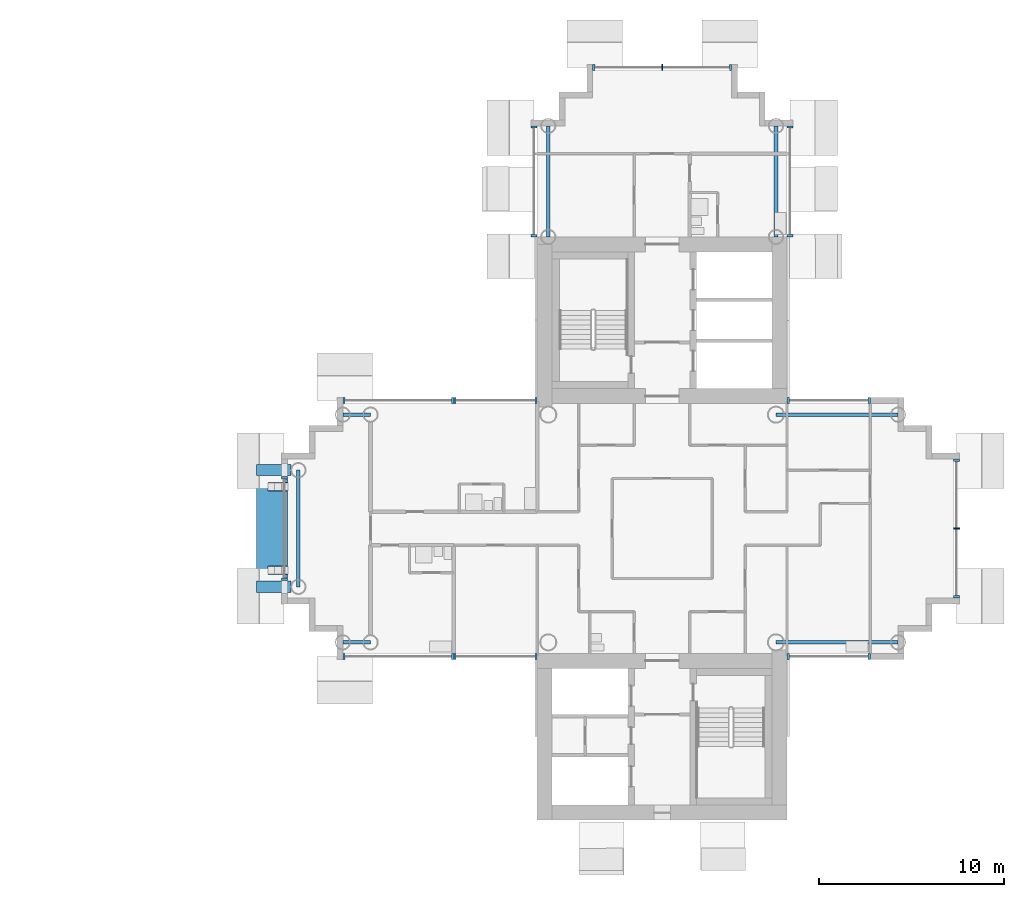
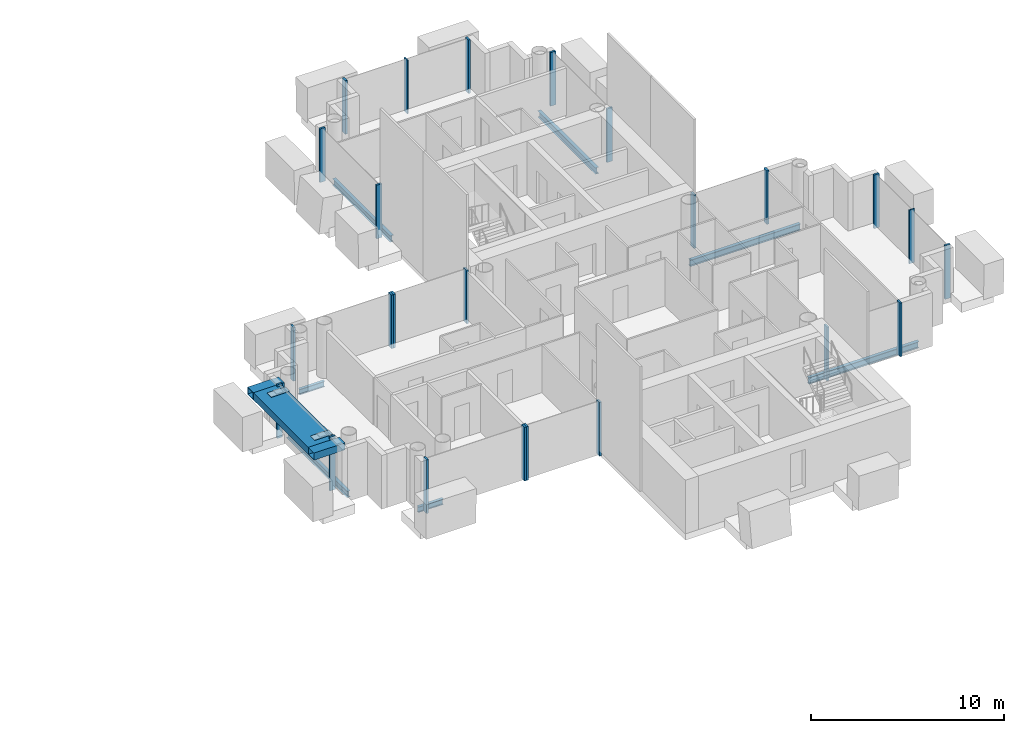
# One storey, part 4 of 18: 26 members, 10 beams, 11 elements without a shape of their own.
"""IFC4 building model written with IfcOpenShell, lengths in metres."""

from ifc_helpers import new_model, si_unit, direction, frame, origin, origin_2d, place, context, subcontext, project, spatial, rectangle, hollow_rectangle, i_section, extrude, material, layer, layer_set, material_profile, profile_set, type_object, element, aggregate, save


model = new_model("IFC4")

# Units and contexts
model_context = context("Model", 3, precision=1e-05, world=origin(), true_north=direction((0.0, 1.0)))
body_context = subcontext(model_context, "Body", "Model", "MODEL_VIEW")
ifc_project = project(units=[si_unit("LENGTHUNIT", "METRE"), si_unit("AREAUNIT", "SQUARE_METRE"), si_unit("VOLUMEUNIT", "CUBIC_METRE"), si_unit("PLANEANGLEUNIT", "RADIAN"), si_unit("MASSUNIT", "GRAM", prefix="KILO")], contexts=[model_context])

# Site, building, storey
site_placement = place(None, origin())
site = spatial("IfcSite", under=ifc_project, at=site_placement, CompositionType="ELEMENT")
building_placement = place(site_placement, origin())
building = spatial("IfcBuilding", under=site, at=building_placement, Name="Ipe Terrace Towers", CompositionType="ELEMENT")
storey_placement = place(building_placement, frame((0.0, 0.0, 177.89990234375)))
storey = spatial("IfcBuildingStorey", under=building, at=storey_placement, Name="L49", CompositionType="ELEMENT", Elevation=177.89990234375)

# Beams
ifc_material_1 = material(Name="Steel S355", Category="steel")
ifc_material_profile_1 = material_profile(ifc_material_1, hollow_rectangle(XDim=0.60009765625, YDim=0.449951171875, WallThickness=0.02490234375, at=origin_2d()), Name="BRIDGE-CORBEL BOX 600x450x25")
ifc_profile_set_1 = profile_set([ifc_material_profile_1], Name="Steel S355")
beam_type_1 = type_object("IfcBeamType", Name="BRIDGE-CORBEL BOX 600x450x25", PredefinedType="USERDEFINED", material=ifc_profile_set_1)
for number, where, z_axis, x_axis, name in (
    (1, (15.949951171875, -3.14990234375, 2.7451171875), (-1.0, 0.0, 0.0), (0.0, -1.0, 0.0), "BR3-CB-T2-S bearing seat arm"),
    (2, (15.949951171875, 3.14990234375, 2.7451171875), (-1.0, 0.0, 0.0), (0.0, -1.0, 0.0), "BR3-CB-T2-N bearing seat arm"),
):
    element("IfcBeam", number, at=place(storey_placement, frame(where, z_axis=z_axis, x_axis=x_axis)), inside=storey, type_object=beam_type_1, Name=name, ObjectType="CORBEL", PredefinedType="USERDEFINED", context=body_context, shape_type="SweptSolid", body=[
        extrude(hollow_rectangle(XDim=0.60009765625, YDim=0.449951171875, WallThickness=0.02490234375, at=origin_2d()), origin(), (0.0, 0.0, 1.0), 1.849853515625),
    ])
ifc_material_2 = material(Name="Steel S355", Category="steel")
ifc_material_profile_2 = material_profile(ifc_material_2, hollow_rectangle(XDim=1.64990234375, YDim=0.449951171875, WallThickness=0.02490234375, at=origin_2d()), Name="BRIDGE-SEAT BEAM BOX 1650x450x25")
ifc_profile_set_2 = profile_set([ifc_material_profile_2], Name="Steel S355")
beam_type_2 = type_object("IfcBeamType", Name="BRIDGE-SEAT BEAM BOX 1650x450x25", PredefinedType="USERDEFINED", material=ifc_profile_set_2)
beam_1_placement = place(storey_placement, frame((14.925048828125, -2.85009765625, 2.7451171875), z_axis=(0.0, 1.0, 0.0), x_axis=(-1.0, 0.0, 0.0)))
element("IfcBeam", 3, at=beam_1_placement, inside=storey, type_object=beam_type_2, Name="BR3-SB-T2 bearing seat beam", ObjectType="SEAT BEAM", PredefinedType="USERDEFINED", context=body_context, shape_type="SweptSolid", body=[
    extrude(hollow_rectangle(XDim=1.64990234375, YDim=0.449951171875, WallThickness=0.02490234375, at=origin_2d()), origin(), (0.0, 0.0, 1.0), 5.7001953125),
])

# Members
ifc_material_3 = material(Name="Steel S355", Category="steel")
member_type_1 = type_object("IfcMemberType", Name="BRIDGE-SLIDE PLATE 1100x450x10", PredefinedType="PLATE", material=ifc_material_3)
for number, where, z_axis, x_axis, name in (
    (4, (15.25, -2.25, 2.97021484375), (0.0, 0.0, 1.0), (1.0, 0.0, 0.0), "BR3-PL-T2-S slide plate"),
    (5, (15.25, 2.25, 2.97021484375), (0.0, 0.0, 1.0), (1.0, 0.0, 0.0), "BR3-PL-T2-N slide plate"),
):
    element("IfcMember", number, at=place(storey_placement, frame(where, z_axis=z_axis, x_axis=x_axis)), inside=storey, type_object=member_type_1, Name=name, PredefinedType="PLATE", context=body_context, shape_type="SweptSolid", body=[
        extrude(rectangle(XDim=1.10009765625, YDim=0.449951171875, at=origin_2d()), origin(), (0.0, 0.0, 1.0), 0.010009765625),
    ])

# Beams
ifc_material_4 = material(Name="Steel S355", Category="steel")
ifc_material_profile_3 = material_profile(ifc_material_4, i_section(OverallWidth=0.175048828125, OverallDepth=0.35009765625, WebThickness=0.007080078125, FlangeThickness=0.010986328125, at=origin_2d()), Name="H-350x175x7x11")
ifc_profile_set_3 = profile_set([ifc_material_profile_3], Name="Steel S355")
beam_type_3 = type_object("IfcBeamType", Name="H04 EDGE BEAM H-350x175x7x11", PredefinedType="BEAM", material=ifc_profile_set_3)
for number, where, z_axis, x_axis, name in (
    (6, (20.25, 6.14990234375, -0.574951171875), (-1.0, 0.0, 0.0), (0.0, -1.0, 0.0), "Edge beam T2-EB-B03-B05"),
    (7, (20.25, -6.14990234375, -0.574951171875), (-1.0, 0.0, 0.0), (0.0, -1.0, 0.0), "Edge beam T2-EB-B04-B06"),
):
    element("IfcBeam", number, at=place(storey_placement, frame(where, z_axis=z_axis, x_axis=x_axis)), inside=storey, type_object=beam_type_3, Name=name, PredefinedType="BEAM", context=body_context, shape_type="SweptSolid", body=[
        extrude(i_section(OverallWidth=0.175048828125, OverallDepth=0.35009765625, WebThickness=0.007080078125, FlangeThickness=0.010986328125, at=origin_2d()), origin(), (0.0, 0.0, 1.0), 1.5),
    ])
ifc_material_5 = material(Name="Steel S355", Category="steel")
ifc_material_profile_4 = material_profile(ifc_material_5, i_section(OverallWidth=0.199951171875, OverallDepth=0.39990234375, WebThickness=0.008056640625, FlangeThickness=0.012939453125, at=origin_2d()), Name="H-400x200x8x13")
ifc_profile_set_4 = profile_set([ifc_material_profile_4], Name="Steel S355")
beam_type_4 = type_object("IfcBeamType", Name="H06 EDGE BEAM H-400x200x8x13", PredefinedType="BEAM", material=ifc_profile_set_4)
for number, where, z_axis, x_axis, name in (
    (8, (42.14990234375, 15.75, -0.599853515625), (0.0, 1.0, 0.0), (-1.0, 0.0, 0.0), "Edge beam T2-EB-A01-A03"),
    (9, (29.85009765625, 15.75, -0.599853515625), (0.0, 1.0, 0.0), (-1.0, 0.0, 0.0), "Edge beam T2-EB-A02-A04"),
):
    element("IfcBeam", number, at=place(storey_placement, frame(where, z_axis=z_axis, x_axis=x_axis)), inside=storey, type_object=beam_type_4, Name=name, PredefinedType="BEAM", context=body_context, shape_type="SweptSolid", body=[
        extrude(i_section(OverallWidth=0.199951171875, OverallDepth=0.39990234375, WebThickness=0.008056640625, FlangeThickness=0.012939453125, at=origin_2d()), origin(), (0.0, 0.0, 1.0), 6.0),
    ])
beam_2_placement = place(storey_placement, frame((16.35009765625, 3.14990234375, -0.599853515625), z_axis=(0.0, -1.0, 0.0), x_axis=(1.0, 0.0, 0.0)))
element("IfcBeam", 10, at=beam_2_placement, inside=storey, type_object=beam_type_4, Name="Edge beam T2-EB-B07-B08", PredefinedType="BEAM", context=body_context, shape_type="SweptSolid", body=[
    extrude(i_section(OverallWidth=0.199951171875, OverallDepth=0.39990234375, WebThickness=0.008056640625, FlangeThickness=0.012939453125, at=origin_2d()), origin(), (0.0, 0.0, 1.0), 6.2998046875),
])
for number, where, z_axis, x_axis, name in (
    (11, (48.75, -6.14990234375, -0.599853515625), (-1.0, 0.0, 0.0), (0.0, -1.0, 0.0), "Edge beam T2-EB-D01-E01"),
    (12, (48.75, 6.14990234375, -0.599853515625), (-1.0, 0.0, 0.0), (0.0, -1.0, 0.0), "Edge beam T2-EB-D02-E02"),
):
    element("IfcBeam", number, at=place(storey_placement, frame(where, z_axis=z_axis, x_axis=x_axis)), inside=storey, type_object=beam_type_4, Name=name, PredefinedType="BEAM", context=body_context, shape_type="SweptSolid", body=[
        extrude(i_section(OverallWidth=0.199951171875, OverallDepth=0.39990234375, WebThickness=0.008056640625, FlangeThickness=0.012939453125, at=origin_2d()), origin(), (0.0, 0.0, 1.0), 6.60009765625),
    ])

# Curtain wall, members
ifc_material_6 = material(Name="Aluminium alloy 6063-T6", Category="aluminium")
ifc_layer = layer(ifc_material_6, 0.320068359375)
ifc_layer_set = layer_set([ifc_layer], Name="TOWER UNITISED CURTAIN WALL")
curtain_wall_type = type_object("IfcCurtainWallType", Name="TOWER UNITISED CURTAIN WALL", PredefinedType="NOTDEFINED", material=ifc_layer_set)
curtain_wall_1_placement = place(storey_placement, origin())
curtain_wall_1 = element("IfcCurtainWall", 13, at=curtain_wall_1_placement, inside=storey, type_object=curtain_wall_type, Name="T2-CW-L49-02a curtain wall", PredefinedType="NOTDEFINED")
ifc_material_7 = material(Name="Aluminium alloy 6063-T6", Category="aluminium")
ifc_material_profile_5 = material_profile(ifc_material_7, rectangle(XDim=0.320068359375, YDim=0.1201171875, at=origin_2d()), Name="TOWER UNITISED CORNER MULLION 320 x 120")
ifc_profile_set_5 = profile_set([ifc_material_profile_5], Name="Aluminium alloy 6063-T6")
member_type_2 = type_object("IfcMemberType", Name="TOWER UNITISED CORNER MULLION 320 x 120", PredefinedType="MULLION", material=ifc_profile_set_5)
member_1_placement = place(storey_placement, frame((42.81005859375, -6.909912109375, -0.2998046875), z_axis=(0.0, 0.0, 1.0), x_axis=(0.0, -1.0, 0.0)))
member_1 = element("IfcMember", 14, at=member_1_placement, type_object=member_type_2, Name="T2-CW-L49-02a mullion 1", PredefinedType="MULLION", context=body_context, shape_type="SweptSolid", body=[
    extrude(rectangle(XDim=0.320068359375, YDim=0.1201171875, at=origin_2d()), origin(), (0.0, 0.0, 1.0), 3.39990234375),
])
member_2_placement = place(storey_placement, frame((47.18994140625, -6.909912109375, -0.2998046875), z_axis=(0.0, 0.0, 1.0), x_axis=(0.0, -1.0, 0.0)))
member_2 = element("IfcMember", 15, at=member_2_placement, type_object=member_type_2, Name="T2-CW-L49-02a mullion 2", PredefinedType="MULLION", context=body_context, shape_type="SweptSolid", body=[
    extrude(rectangle(XDim=0.320068359375, YDim=0.1201171875, at=origin_2d()), origin(), (0.0, 0.0, 1.0), 3.39990234375),
])
aggregate(curtain_wall_1, [member_1, member_2])

curtain_wall_2_placement = place(storey_placement, origin())
curtain_wall_2 = element("IfcCurtainWall", 16, at=curtain_wall_2_placement, inside=storey, type_object=curtain_wall_type, Name="T2-CW-L49-08a curtain wall", PredefinedType="NOTDEFINED")
member_3_placement = place(storey_placement, frame((51.909912109375, -3.68994140625, -0.2998046875), z_axis=(0.0, 0.0, 1.0), x_axis=(1.0, 0.0, 0.0)))
member_3 = element("IfcMember", 17, at=member_3_placement, type_object=member_type_2, Name="T2-CW-L49-08a mullion 1", PredefinedType="MULLION", context=body_context, shape_type="SweptSolid", body=[
    extrude(rectangle(XDim=0.320068359375, YDim=0.1201171875, at=origin_2d()), origin(), (0.0, 0.0, 1.0), 3.39990234375),
])
member_4_placement = place(storey_placement, frame((51.909912109375, 3.68994140625, -0.2998046875), z_axis=(0.0, 0.0, 1.0), x_axis=(1.0, 0.0, 0.0)))
member_4 = element("IfcMember", 18, at=member_4_placement, type_object=member_type_2, Name="T2-CW-L49-08a mullion 3", PredefinedType="MULLION", context=body_context, shape_type="SweptSolid", body=[
    extrude(rectangle(XDim=0.320068359375, YDim=0.1201171875, at=origin_2d()), origin(), (0.0, 0.0, 1.0), 3.39990234375),
])

curtain_wall_3_placement = place(storey_placement, origin())
curtain_wall_3 = element("IfcCurtainWall", 19, at=curtain_wall_3_placement, inside=storey, type_object=curtain_wall_type, Name="T2-CW-L49-14a curtain wall", PredefinedType="NOTDEFINED")
member_5_placement = place(storey_placement, frame((47.18994140625, 6.909912109375, -0.2998046875), z_axis=(0.0, 0.0, 1.0), x_axis=(0.0, 1.0, 0.0)))
member_5 = element("IfcMember", 20, at=member_5_placement, type_object=member_type_2, Name="T2-CW-L49-14a mullion 1", PredefinedType="MULLION", context=body_context, shape_type="SweptSolid", body=[
    extrude(rectangle(XDim=0.320068359375, YDim=0.1201171875, at=origin_2d()), origin(), (0.0, 0.0, 1.0), 3.39990234375),
])
member_6_placement = place(storey_placement, frame((42.81005859375, 6.909912109375, -0.2998046875), z_axis=(0.0, 0.0, 1.0), x_axis=(0.0, 1.0, 0.0)))
member_6 = element("IfcMember", 21, at=member_6_placement, type_object=member_type_2, Name="T2-CW-L49-14a mullion 2", PredefinedType="MULLION", context=body_context, shape_type="SweptSolid", body=[
    extrude(rectangle(XDim=0.320068359375, YDim=0.1201171875, at=origin_2d()), origin(), (0.0, 0.0, 1.0), 3.39990234375),
])
aggregate(curtain_wall_3, [member_5, member_6])

curtain_wall_4_placement = place(storey_placement, origin())
curtain_wall_4 = element("IfcCurtainWall", 22, at=curtain_wall_4_placement, inside=storey, type_object=curtain_wall_type, Name="T2-CW-L49-16b curtain wall", PredefinedType="NOTDEFINED")
member_7_placement = place(storey_placement, frame((42.909912109375, 15.81103515625, -0.2998046875), z_axis=(0.0, 0.0, 1.0), x_axis=(1.0, 0.0, 0.0)))
member_7 = element("IfcMember", 23, at=member_7_placement, type_object=member_type_2, Name="T2-CW-L49-16b mullion 1", PredefinedType="MULLION", context=body_context, shape_type="SweptSolid", body=[
    extrude(rectangle(XDim=0.320068359375, YDim=0.1201171875, at=origin_2d()), origin(), (0.0, 0.0, 1.0), 3.39990234375),
])
member_8_placement = place(storey_placement, frame((42.909912109375, 21.68994140625, -0.2998046875), z_axis=(0.0, 0.0, 1.0), x_axis=(1.0, 0.0, 0.0)))
member_8 = element("IfcMember", 24, at=member_8_placement, type_object=member_type_2, Name="T2-CW-L49-16b mullion 2", PredefinedType="MULLION", context=body_context, shape_type="SweptSolid", body=[
    extrude(rectangle(XDim=0.320068359375, YDim=0.1201171875, at=origin_2d()), origin(), (0.0, 0.0, 1.0), 3.39990234375),
])
aggregate(curtain_wall_4, [member_7, member_8])

curtain_wall_5_placement = place(storey_placement, origin())
curtain_wall_5 = element("IfcCurtainWall", 25, at=curtain_wall_5_placement, inside=storey, type_object=curtain_wall_type, Name="T2-CW-L49-21a curtain wall", PredefinedType="NOTDEFINED")
member_9_placement = place(storey_placement, frame((39.68994140625, 24.909912109375, -0.2998046875), z_axis=(0.0, 0.0, 1.0), x_axis=(0.0, 1.0, 0.0)))
member_9 = element("IfcMember", 26, at=member_9_placement, type_object=member_type_2, Name="T2-CW-L49-21a mullion 1", PredefinedType="MULLION", context=body_context, shape_type="SweptSolid", body=[
    extrude(rectangle(XDim=0.320068359375, YDim=0.1201171875, at=origin_2d()), origin(), (0.0, 0.0, 1.0), 3.39990234375),
])
member_10_placement = place(storey_placement, frame((32.31005859375, 24.909912109375, -0.2998046875), z_axis=(0.0, 0.0, 1.0), x_axis=(0.0, 1.0, 0.0)))
member_10 = element("IfcMember", 27, at=member_10_placement, type_object=member_type_2, Name="T2-CW-L49-21a mullion 3", PredefinedType="MULLION", context=body_context, shape_type="SweptSolid", body=[
    extrude(rectangle(XDim=0.320068359375, YDim=0.1201171875, at=origin_2d()), origin(), (0.0, 0.0, 1.0), 3.39990234375),
])

curtain_wall_6_placement = place(storey_placement, origin())
curtain_wall_6 = element("IfcCurtainWall", 28, at=curtain_wall_6_placement, inside=storey, type_object=curtain_wall_type, Name="T2-CW-L49-26a curtain wall", PredefinedType="NOTDEFINED")
member_11_placement = place(storey_placement, frame((29.090087890625, 21.68994140625, -0.2998046875), z_axis=(0.0, 0.0, 1.0), x_axis=(-1.0, 0.0, 0.0)))
member_11 = element("IfcMember", 29, at=member_11_placement, type_object=member_type_2, Name="T2-CW-L49-26a mullion 1", PredefinedType="MULLION", context=body_context, shape_type="SweptSolid", body=[
    extrude(rectangle(XDim=0.320068359375, YDim=0.1201171875, at=origin_2d()), origin(), (0.0, 0.0, 1.0), 3.39990234375),
])
member_12_placement = place(storey_placement, frame((29.090087890625, 15.81103515625, -0.2998046875), z_axis=(0.0, 0.0, 1.0), x_axis=(-1.0, 0.0, 0.0)))
member_12 = element("IfcMember", 30, at=member_12_placement, type_object=member_type_2, Name="T2-CW-L49-26a mullion 2", PredefinedType="MULLION", context=body_context, shape_type="SweptSolid", body=[
    extrude(rectangle(XDim=0.320068359375, YDim=0.1201171875, at=origin_2d()), origin(), (0.0, 0.0, 1.0), 3.39990234375),
])
aggregate(curtain_wall_6, [member_11, member_12])

curtain_wall_7_placement = place(storey_placement, origin())
curtain_wall_7 = element("IfcCurtainWall", 31, at=curtain_wall_7_placement, inside=storey, type_object=curtain_wall_type, Name="T2-CW-L49-28a curtain wall", PredefinedType="NOTDEFINED")
member_13_placement = place(storey_placement, frame((29.18994140625, 6.909912109375, -0.2998046875), z_axis=(0.0, 0.0, 1.0), x_axis=(0.0, 1.0, 0.0)))
member_13 = element("IfcMember", 32, at=member_13_placement, type_object=member_type_2, Name="T2-CW-L49-28a mullion 1", PredefinedType="MULLION", context=body_context, shape_type="SweptSolid", body=[
    extrude(rectangle(XDim=0.320068359375, YDim=0.1201171875, at=origin_2d()), origin(), (0.0, 0.0, 1.0), 3.39990234375),
])
member_14_placement = place(storey_placement, frame((24.81005859375, 6.909912109375, -0.2998046875), z_axis=(0.0, 0.0, 1.0), x_axis=(0.0, 1.0, 0.0)))
member_14 = element("IfcMember", 33, at=member_14_placement, type_object=member_type_2, Name="T2-CW-L49-28a mullion 2", PredefinedType="MULLION", context=body_context, shape_type="SweptSolid", body=[
    extrude(rectangle(XDim=0.320068359375, YDim=0.1201171875, at=origin_2d()), origin(), (0.0, 0.0, 1.0), 3.39990234375),
])
aggregate(curtain_wall_7, [member_13, member_14])

curtain_wall_8_placement = place(storey_placement, origin())
curtain_wall_8 = element("IfcCurtainWall", 34, at=curtain_wall_8_placement, inside=storey, type_object=curtain_wall_type, Name="T2-CW-L49-29a curtain wall", PredefinedType="NOTDEFINED")
member_15_placement = place(storey_placement, frame((24.68994140625, 6.909912109375, -0.2998046875), z_axis=(0.0, 0.0, 1.0), x_axis=(0.0, 1.0, 0.0)))
member_15 = element("IfcMember", 35, at=member_15_placement, type_object=member_type_2, Name="T2-CW-L49-29a mullion 1", PredefinedType="MULLION", context=body_context, shape_type="SweptSolid", body=[
    extrude(rectangle(XDim=0.320068359375, YDim=0.1201171875, at=origin_2d()), origin(), (0.0, 0.0, 1.0), 3.39990234375),
])
member_16_placement = place(storey_placement, frame((18.81005859375, 6.909912109375, -0.2998046875), z_axis=(0.0, 0.0, 1.0), x_axis=(0.0, 1.0, 0.0)))
member_16 = element("IfcMember", 36, at=member_16_placement, type_object=member_type_2, Name="T2-CW-L49-29a mullion 2", PredefinedType="MULLION", context=body_context, shape_type="SweptSolid", body=[
    extrude(rectangle(XDim=0.320068359375, YDim=0.1201171875, at=origin_2d()), origin(), (0.0, 0.0, 1.0), 3.39990234375),
])
aggregate(curtain_wall_8, [member_15, member_16])

curtain_wall_9_placement = place(storey_placement, origin())
curtain_wall_9 = element("IfcCurtainWall", 37, at=curtain_wall_9_placement, inside=storey, type_object=curtain_wall_type, Name="T2-CW-L49-34d curtain wall", PredefinedType="NOTDEFINED")
member_17_placement = place(storey_placement, frame((15.590087890625, 2.739990234375, -0.2998046875), z_axis=(0.0, 0.0, 1.0), x_axis=(-1.0, 0.0, 0.0)))
member_17 = element("IfcMember", 38, at=member_17_placement, type_object=member_type_2, Name="T2-CW-L49-34d mullion 1", PredefinedType="MULLION", context=body_context, shape_type="SweptSolid", body=[
    extrude(rectangle(XDim=0.320068359375, YDim=0.1201171875, at=origin_2d()), origin(), (0.0, 0.0, 1.0), 3.39990234375),
])
member_18_placement = place(storey_placement, frame((15.590087890625, -2.739990234375, -0.2998046875), z_axis=(0.0, 0.0, 1.0), x_axis=(-1.0, 0.0, 0.0)))
member_18 = element("IfcMember", 39, at=member_18_placement, type_object=member_type_2, Name="T2-CW-L49-34d mullion 2", PredefinedType="MULLION", context=body_context, shape_type="SweptSolid", body=[
    extrude(rectangle(XDim=0.320068359375, YDim=0.1201171875, at=origin_2d()), origin(), (0.0, 0.0, 1.0), 3.39990234375),
])
aggregate(curtain_wall_9, [member_17, member_18])

curtain_wall_10_placement = place(storey_placement, origin())
curtain_wall_10 = element("IfcCurtainWall", 40, at=curtain_wall_10_placement, inside=storey, type_object=curtain_wall_type, Name="T2-CW-L49-39a curtain wall", PredefinedType="NOTDEFINED")
member_19_placement = place(storey_placement, frame((18.81005859375, -6.909912109375, -0.2998046875), z_axis=(0.0, 0.0, 1.0), x_axis=(0.0, -1.0, 0.0)))
member_19 = element("IfcMember", 41, at=member_19_placement, type_object=member_type_2, Name="T2-CW-L49-39a mullion 1", PredefinedType="MULLION", context=body_context, shape_type="SweptSolid", body=[
    extrude(rectangle(XDim=0.320068359375, YDim=0.1201171875, at=origin_2d()), origin(), (0.0, 0.0, 1.0), 3.39990234375),
])
member_20_placement = place(storey_placement, frame((24.68994140625, -6.909912109375, -0.2998046875), z_axis=(0.0, 0.0, 1.0), x_axis=(0.0, -1.0, 0.0)))
member_20 = element("IfcMember", 42, at=member_20_placement, type_object=member_type_2, Name="T2-CW-L49-39a mullion 2", PredefinedType="MULLION", context=body_context, shape_type="SweptSolid", body=[
    extrude(rectangle(XDim=0.320068359375, YDim=0.1201171875, at=origin_2d()), origin(), (0.0, 0.0, 1.0), 3.39990234375),
])
aggregate(curtain_wall_10, [member_19, member_20])

curtain_wall_11_placement = place(storey_placement, origin())
curtain_wall_11 = element("IfcCurtainWall", 43, at=curtain_wall_11_placement, inside=storey, type_object=curtain_wall_type, Name="T2-CW-L49-40a curtain wall", PredefinedType="NOTDEFINED")
member_21_placement = place(storey_placement, frame((24.81005859375, -6.909912109375, -0.2998046875), z_axis=(0.0, 0.0, 1.0), x_axis=(0.0, -1.0, 0.0)))
member_21 = element("IfcMember", 44, at=member_21_placement, type_object=member_type_2, Name="T2-CW-L49-40a mullion 1", PredefinedType="MULLION", context=body_context, shape_type="SweptSolid", body=[
    extrude(rectangle(XDim=0.320068359375, YDim=0.1201171875, at=origin_2d()), origin(), (0.0, 0.0, 1.0), 3.39990234375),
])
member_22_placement = place(storey_placement, frame((29.18994140625, -6.909912109375, -0.2998046875), z_axis=(0.0, 0.0, 1.0), x_axis=(0.0, -1.0, 0.0)))
member_22 = element("IfcMember", 45, at=member_22_placement, type_object=member_type_2, Name="T2-CW-L49-40a mullion 2", PredefinedType="MULLION", context=body_context, shape_type="SweptSolid", body=[
    extrude(rectangle(XDim=0.320068359375, YDim=0.1201171875, at=origin_2d()), origin(), (0.0, 0.0, 1.0), 3.39990234375),
])
aggregate(curtain_wall_11, [member_21, member_22])

# Member
ifc_material_8 = material(Name="Aluminium alloy 6063-T6", Category="aluminium")
ifc_material_profile_6 = material_profile(ifc_material_8, rectangle(XDim=0.320068359375, YDim=0.06494140625, at=origin_2d()), Name="TOWER UNITISED MULLION 320 x 65")
ifc_profile_set_6 = profile_set([ifc_material_profile_6], Name="Aluminium alloy 6063-T6")
member_type_3 = type_object("IfcMemberType", Name="TOWER UNITISED MULLION 320 x 65", PredefinedType="MULLION", material=ifc_profile_set_6)
member_23_placement = place(storey_placement, frame((51.909912109375, 0.0, -0.2998046875), z_axis=(0.0, 0.0, 1.0), x_axis=(1.0, 0.0, 0.0)))
member_23 = element("IfcMember", 46, at=member_23_placement, type_object=member_type_3, Name="T2-CW-L49-08a mullion 2", PredefinedType="MULLION", context=body_context, shape_type="SweptSolid", body=[
    extrude(rectangle(XDim=0.320068359375, YDim=0.06494140625, at=origin_2d()), origin(), (0.0, 0.0, 1.0), 3.39990234375),
])

aggregate(curtain_wall_2, [member_3, member_23, member_4])

member_24_placement = place(storey_placement, frame((36.0, 24.909912109375, -0.2998046875), z_axis=(0.0, 0.0, 1.0), x_axis=(0.0, 1.0, 0.0)))
member_24 = element("IfcMember", 47, at=member_24_placement, type_object=member_type_3, Name="T2-CW-L49-21a mullion 2", PredefinedType="MULLION", context=body_context, shape_type="SweptSolid", body=[
    extrude(rectangle(XDim=0.320068359375, YDim=0.06494140625, at=origin_2d()), origin(), (0.0, 0.0, 1.0), 3.39990234375),
])

aggregate(curtain_wall_5, [member_9, member_24, member_10])

save(model, "model.ifc")
